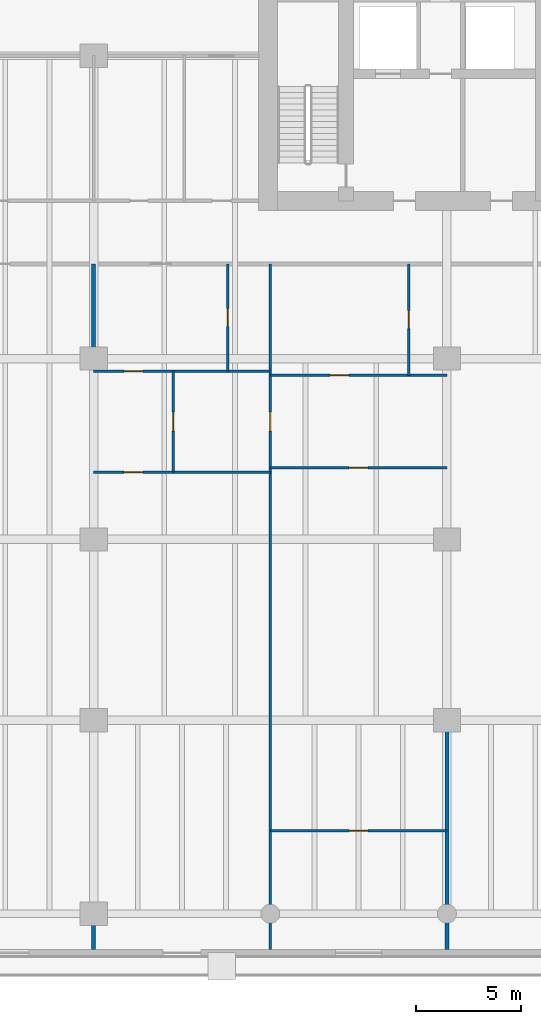
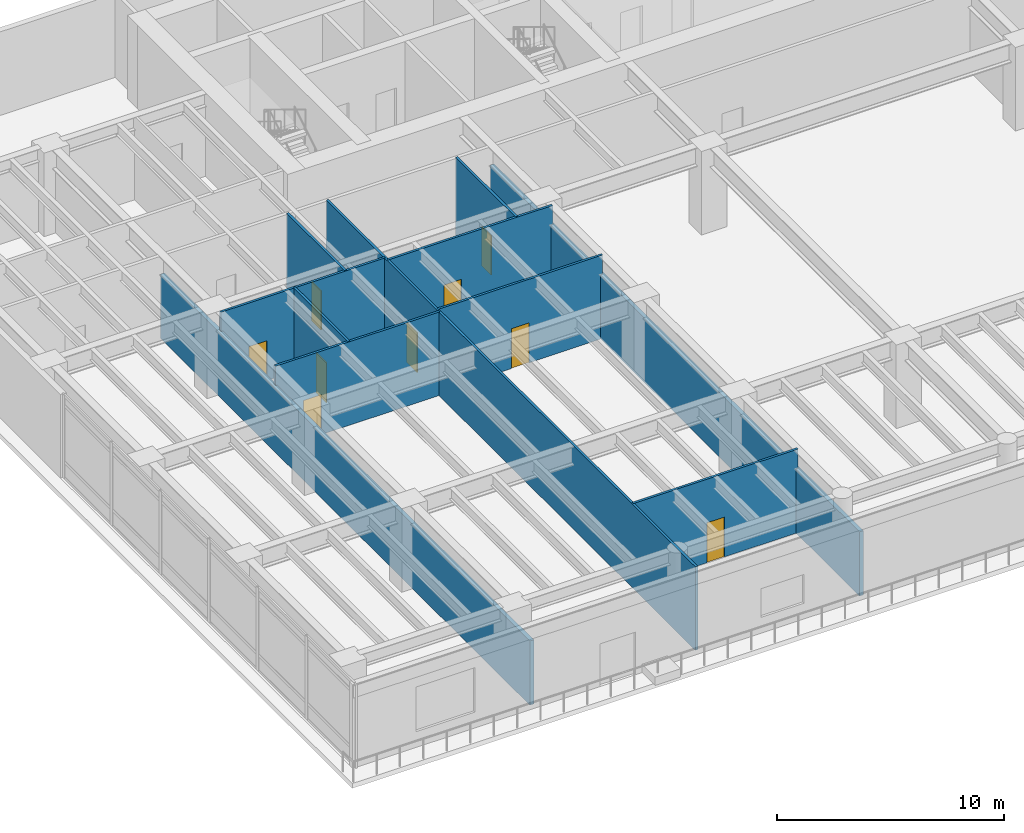
# One storey, part 6 of 17: 11 walls, 9 doors, 9 openings.
"""IFC4 building model written with IfcOpenShell, lengths in metres."""

from ifc_helpers import new_model, si_unit, direction, frame, frame_2d, origin, place, context, subcontext, project, spatial, rectangle, extrude, material, layer, layer_set, type_object, element, fill, save


model = new_model("IFC4")

# Units and contexts
model_context = context("Model", 3, precision=1e-05, world=origin(), true_north=direction((0.0, 1.0)))
body_context = subcontext(model_context, "Body", "Model", "MODEL_VIEW")
ifc_project = project(units=[si_unit("LENGTHUNIT", "METRE"), si_unit("AREAUNIT", "SQUARE_METRE"), si_unit("VOLUMEUNIT", "CUBIC_METRE"), si_unit("PLANEANGLEUNIT", "RADIAN"), si_unit("MASSUNIT", "GRAM", prefix="KILO")], contexts=[model_context])

# Site, building, storey
site_placement = place(None, origin())
site = spatial("IfcSite", under=ifc_project, at=site_placement, CompositionType="ELEMENT")
building_placement = place(site_placement, origin())
building = spatial("IfcBuilding", under=site, at=building_placement, Name="Caelmar Bay Residences", CompositionType="ELEMENT")
storey_placement = place(building_placement, frame((0.0, 0.0, 10.199951171875)))
storey = spatial("IfcBuildingStorey", under=building, at=storey_placement, Name="L02", CompositionType="ELEMENT", Elevation=10.199951171875)

# Wall, opening, door
ifc_material_1 = material(Name="Acoustic metal-stud gypsum partition 120 mm")
ifc_layer_1 = layer(ifc_material_1, 0.1201171875)
ifc_layer_set_1 = layer_set([ifc_layer_1], Name="Acoustic metal-stud gypsum partition 120 mm")
wall_type_1 = type_object("IfcWallType", Name="W-PRT-120", PredefinedType="PARTITIONING", material=ifc_layer_set_1)
wall_1_placement = place(storey_placement, frame((13.679931640625, 24.0, 0.0), z_axis=(0.0, 0.0, 1.0), x_axis=(0.0, 1.0, 0.0)))
wall_1 = element("IfcWall", 1, at=wall_1_placement, inside=storey, type_object=wall_type_1, Name="L02 Partition Wall V003", PredefinedType="PARTITIONING", context=body_context, shape_type="SweptSolid", body=[
    extrude(rectangle(XDim=4.800048828125, YDim=0.1201171875, at=frame_2d((2.39990234375, 0.0))), origin(), (0.0, 0.0, 1.0), 4.5),
])
opening_1_placement = place(wall_1_placement, frame((1.949951171875, 0.0, 0.0)))
opening_1 = element("IfcOpeningElement", 2, at=opening_1_placement, cuts=wall_1, Name="Opening D-L02-125", PredefinedType="OPENING", context=body_context, shape_type="SweptSolid", body=[
    extrude(rectangle(XDim=0.89990234375, YDim=2.14990234375, at=frame_2d((0.449951171875, 1.074951171875))), frame((0.0, 0.070068359375, 0.0), z_axis=(0.0, -1.0, 0.0), x_axis=(1.0, 0.0, 0.0)), (0.0, 0.0, 1.0), 0.14013671875),
])
ifc_material_2 = material(Name="Solid walnut timber interior door leaf and frame", Category="wood")
ifc_layer_2 = layer(ifc_material_2, 0.050048828125)
ifc_layer_set_2 = layer_set([ifc_layer_2], Name="Solid walnut timber interior door leaf and frame")
door_type_1 = type_object("IfcDoorType", Name="D-ROOM-900", OperationType="NOTDEFINED", PredefinedType="DOOR", material=ifc_layer_set_2)
door_1_placement = place(opening_1_placement, origin())
door_1 = element("IfcDoor", 3, at=door_1_placement, inside=storey, type_object=door_type_1, Name="L02 Residence 2A Kitchen Door", OperationType="SINGLE_SWING_LEFT", OverallHeight=2.14990234375, OverallWidth=0.89990234375, PredefinedType="DOOR", context=body_context, shape_type="SweptSolid", body=[
    extrude(rectangle(XDim=0.89990234375, YDim=2.14990234375, at=frame_2d((0.449951171875, 1.074951171875))), frame((0.0, 0.02490234375, 0.0), z_axis=(0.0, -1.0, 0.0), x_axis=(1.0, 0.0, 0.0)), (0.0, 0.0, 1.0), 0.050048828125),
])
fill(opening_1, door_1)

wall_2_placement = place(storey_placement, frame((16.280029296875, 28.800048828125, 0.0), z_axis=(0.0, 0.0, 1.0), x_axis=(0.0, 1.0, 0.0)))
wall_2 = element("IfcWall", 4, at=wall_2_placement, inside=storey, type_object=wall_type_1, Name="L02 Partition Wall V005", PredefinedType="PARTITIONING", context=body_context, shape_type="SweptSolid", body=[
    extrude(rectangle(XDim=5.099853515625, YDim=0.1201171875, at=frame_2d((2.5498046875, 0.0))), origin(), (0.0, 0.0, 1.0), 4.5),
])
opening_2_placement = place(wall_2_placement, frame((2.125, 0.0, 0.0)))
opening_2 = element("IfcOpeningElement", 5, at=opening_2_placement, cuts=wall_2, Name="Opening D-L02-123", PredefinedType="OPENING", context=body_context, shape_type="SweptSolid", body=[
    extrude(rectangle(XDim=0.85009765625, YDim=2.10009765625, at=frame_2d((0.425048828125, 1.050048828125))), frame((0.0, 0.070068359375, 0.0), z_axis=(0.0, -1.0, 0.0), x_axis=(1.0, 0.0, 0.0)), (0.0, 0.0, 1.0), 0.14013671875),
])
ifc_layer_3 = layer(ifc_material_2, 0.050048828125)
ifc_layer_set_3 = layer_set([ifc_layer_3], Name="Solid walnut timber interior door leaf and frame")
door_type_2 = type_object("IfcDoorType", Name="D-BATH-850", OperationType="NOTDEFINED", PredefinedType="DOOR", material=ifc_layer_set_3)
door_2_placement = place(opening_2_placement, origin())
door_2 = element("IfcDoor", 6, at=door_2_placement, inside=storey, type_object=door_type_2, Name="L02 Residence 2A Guest Bathroom Door", OperationType="SINGLE_SWING_LEFT", OverallHeight=2.10009765625, OverallWidth=0.85009765625, PredefinedType="DOOR", context=body_context, shape_type="SweptSolid", body=[
    extrude(rectangle(XDim=0.85009765625, YDim=2.10009765625, at=frame_2d((0.425048828125, 1.050048828125))), frame((0.0, 0.02490234375, 0.0), z_axis=(0.0, -1.0, 0.0), x_axis=(1.0, 0.0, 0.0)), (0.0, 0.0, 1.0), 0.050048828125),
])
fill(opening_2, door_2)

wall_3_placement = place(storey_placement, frame((18.300048828125, 1.294921875, 0.0), z_axis=(0.0, 0.0, 1.0), x_axis=(0.0, 1.0, 0.0)))
wall_3 = element("IfcWall", 7, at=wall_3_placement, inside=storey, type_object=wall_type_1, Name="L02 Partition Wall V007", PredefinedType="PARTITIONING", context=body_context, shape_type="SweptSolid", body=[
    extrude(rectangle(XDim=32.60498046875, YDim=0.1201171875, at=frame_2d((16.302490234375, 0.0))), origin(), (0.0, 0.0, 1.0), 4.5),
])
opening_3_placement = place(wall_3_placement, frame((24.655029296875, 0.0, 0.0)))
opening_3 = element("IfcOpeningElement", 8, at=opening_3_placement, cuts=wall_3, Name="Opening D-L02-127", PredefinedType="OPENING", context=body_context, shape_type="SweptSolid", body=[
    extrude(rectangle(XDim=0.89990234375, YDim=2.14990234375, at=frame_2d((0.449951171875, 1.074951171875))), frame((0.0, 0.070068359375, 0.0), z_axis=(0.0, -1.0, 0.0), x_axis=(1.0, 0.0, 0.0)), (0.0, 0.0, 1.0), 0.14013671875),
])
door_3_placement = place(opening_3_placement, origin())
door_3 = element("IfcDoor", 9, at=door_3_placement, inside=storey, type_object=door_type_1, Name="L02 Residence 2A Formal Dining Room 1 Door", OperationType="SINGLE_SWING_LEFT", OverallHeight=2.14990234375, OverallWidth=0.89990234375, PredefinedType="DOOR", context=body_context, shape_type="SweptSolid", body=[
    extrude(rectangle(XDim=0.89990234375, YDim=2.14990234375, at=frame_2d((0.449951171875, 1.074951171875))), frame((0.0, 0.02490234375, 0.0), z_axis=(0.0, -1.0, 0.0), x_axis=(1.0, 0.0, 0.0)), (0.0, 0.0, 1.0), 0.050048828125),
])
fill(opening_3, door_3)

wall_4_placement = place(storey_placement, frame((24.888916015625, 28.60009765625, 0.0), z_axis=(0.0, 0.0, 1.0), x_axis=(0.0, 1.0, 0.0)))
wall_4 = element("IfcWall", 10, at=wall_4_placement, inside=storey, type_object=wall_type_1, Name="L02 Partition Wall V009", PredefinedType="PARTITIONING", context=body_context, shape_type="SweptSolid", body=[
    extrude(rectangle(XDim=5.2998046875, YDim=0.1201171875, at=frame_2d((2.64990234375, 0.0))), origin(), (0.0, 0.0, 1.0), 4.5),
])
opening_4_placement = place(wall_4_placement, frame((2.22509765625, 0.0, 0.0)))
opening_4 = element("IfcOpeningElement", 11, at=opening_4_placement, cuts=wall_4, Name="Opening D-L02-129", PredefinedType="OPENING", context=body_context, shape_type="SweptSolid", body=[
    extrude(rectangle(XDim=0.85009765625, YDim=2.10009765625, at=frame_2d((0.425048828125, 1.050048828125))), frame((0.0, 0.070068359375, 0.0), z_axis=(0.0, -1.0, 0.0), x_axis=(1.0, 0.0, 0.0)), (0.0, 0.0, 1.0), 0.14013671875),
])
door_4_placement = place(opening_4_placement, origin())
door_4 = element("IfcDoor", 12, at=door_4_placement, inside=storey, type_object=door_type_2, Name="L02 Residence 2A En-Suite Bathroom 1 Door", OperationType="SINGLE_SWING_LEFT", OverallHeight=2.10009765625, OverallWidth=0.85009765625, PredefinedType="DOOR", context=body_context, shape_type="SweptSolid", body=[
    extrude(rectangle(XDim=0.85009765625, YDim=2.10009765625, at=frame_2d((0.425048828125, 1.050048828125))), frame((0.0, 0.02490234375, 0.0), z_axis=(0.0, -1.0, 0.0), x_axis=(1.0, 0.0, 0.0)), (0.0, 0.0, 1.0), 0.050048828125),
])
fill(opening_4, door_4)

wall_5_placement = place(storey_placement, frame((18.300048828125, 6.949951171875, 0.0), z_axis=(0.0, 0.0, 1.0), x_axis=(1.0, 0.0, 0.0)))
wall_5 = element("IfcWall", 13, at=wall_5_placement, inside=storey, type_object=wall_type_1, Name="L02 Partition Wall H034", PredefinedType="PARTITIONING", context=body_context, shape_type="SweptSolid", body=[
    extrude(rectangle(XDim=8.39990234375, YDim=0.1201171875, at=frame_2d((4.199951171875, 0.0))), origin(), (0.0, 0.0, 1.0), 4.5),
])
opening_5_placement = place(wall_5_placement, frame((3.75, 0.0, 0.0)))
opening_5 = element("IfcOpeningElement", 14, at=opening_5_placement, cuts=wall_5, Name="Opening D-L02-131", PredefinedType="OPENING", context=body_context, shape_type="SweptSolid", body=[
    extrude(rectangle(XDim=0.89990234375, YDim=2.14990234375, at=frame_2d((0.449951171875, 1.074951171875))), frame((0.0, 0.070068359375, 0.0), z_axis=(0.0, -1.0, 0.0), x_axis=(1.0, 0.0, 0.0)), (0.0, 0.0, 1.0), 0.14013671875),
])
door_5_placement = place(opening_5_placement, origin())
door_5 = element("IfcDoor", 15, at=door_5_placement, inside=storey, type_object=door_type_1, Name="L02 Residence 2A Primary Bedroom 1 Door", OperationType="SINGLE_SWING_LEFT", OverallHeight=2.14990234375, OverallWidth=0.89990234375, PredefinedType="DOOR", context=body_context, shape_type="SweptSolid", body=[
    extrude(rectangle(XDim=0.89990234375, YDim=2.14990234375, at=frame_2d((0.449951171875, 1.074951171875))), frame((0.0, 0.02490234375, 0.0), z_axis=(0.0, -1.0, 0.0), x_axis=(1.0, 0.0, 0.0)), (0.0, 0.0, 1.0), 0.050048828125),
])
fill(opening_5, door_5)

wall_6_placement = place(storey_placement, frame((9.89990234375, 24.0, 0.0), z_axis=(0.0, 0.0, 1.0), x_axis=(1.0, 0.0, 0.0)))
wall_6 = element("IfcWall", 16, at=wall_6_placement, inside=storey, type_object=wall_type_1, Name="L02 Partition Wall H038", PredefinedType="PARTITIONING", context=body_context, shape_type="SweptSolid", body=[
    extrude(rectangle(XDim=8.400146484375, YDim=0.1201171875, at=frame_2d((4.2001953125, 0.0))), origin(), (0.0, 0.0, 1.0), 4.5),
])
opening_6_placement = place(wall_6_placement, frame((1.43994140625, 0.0, 0.0)))
opening_6 = element("IfcOpeningElement", 17, at=opening_6_placement, cuts=wall_6, Name="Opening D-L02-126", PredefinedType="OPENING", context=body_context, shape_type="SweptSolid", body=[
    extrude(rectangle(XDim=0.89990234375, YDim=2.14990234375, at=frame_2d((0.449951171875, 1.074951171875))), frame((0.0, 0.070068359375, 0.0), z_axis=(0.0, -1.0, 0.0), x_axis=(1.0, 0.0, 0.0)), (0.0, 0.0, 1.0), 0.14013671875),
])
door_6_placement = place(opening_6_placement, origin())
door_6 = element("IfcDoor", 18, at=door_6_placement, inside=storey, type_object=door_type_1, Name="L02 Residence 2A Penthouse Living Salon Door", OperationType="SINGLE_SWING_RIGHT", OverallHeight=2.14990234375, OverallWidth=0.89990234375, PredefinedType="DOOR", context=body_context, shape_type="SweptSolid", body=[
    extrude(rectangle(XDim=0.89990234375, YDim=2.14990234375, at=frame_2d((0.449951171875, 1.074951171875))), frame((0.0, 0.02490234375, 0.0), z_axis=(0.0, -1.0, 0.0), x_axis=(1.0, 0.0, 0.0)), (0.0, 0.0, 1.0), 0.050048828125),
])
fill(opening_6, door_6)

wall_7_placement = place(storey_placement, frame((18.304931640625, 24.199951171875, 0.0), z_axis=(0.0, 0.0, 1.0), x_axis=(1.0, 0.0, 0.0)))
wall_7 = element("IfcWall", 19, at=wall_7_placement, inside=storey, type_object=wall_type_1, Name="L02 Partition Wall H039", PredefinedType="PARTITIONING", context=body_context, shape_type="SweptSolid", body=[
    extrude(rectangle(XDim=8.39501953125, YDim=0.1201171875, at=frame_2d((4.197509765625, 0.0))), origin(), (0.0, 0.0, 1.0), 4.5),
])
opening_7_placement = place(wall_7_placement, frame((3.74755859375, 0.0, 0.0)))
opening_7 = element("IfcOpeningElement", 20, at=opening_7_placement, cuts=wall_7, Name="Opening D-L02-130", PredefinedType="OPENING", context=body_context, shape_type="SweptSolid", body=[
    extrude(rectangle(XDim=0.89990234375, YDim=2.14990234375, at=frame_2d((0.449951171875, 1.074951171875))), frame((0.0, 0.070068359375, 0.0), z_axis=(0.0, -1.0, 0.0), x_axis=(1.0, 0.0, 0.0)), (0.0, 0.0, 1.0), 0.14013671875),
])
door_7_placement = place(opening_7_placement, origin())
door_7 = element("IfcDoor", 21, at=door_7_placement, inside=storey, type_object=door_type_1, Name="L02 Residence 2A Penthouse Sitting Salon 1 Door", OperationType="SINGLE_SWING_RIGHT", OverallHeight=2.14990234375, OverallWidth=0.89990234375, PredefinedType="DOOR", context=body_context, shape_type="SweptSolid", body=[
    extrude(rectangle(XDim=0.89990234375, YDim=2.14990234375, at=frame_2d((0.449951171875, 1.074951171875))), frame((0.0, 0.02490234375, 0.0), z_axis=(0.0, -1.0, 0.0), x_axis=(1.0, 0.0, 0.0)), (0.0, 0.0, 1.0), 0.050048828125),
])
fill(opening_7, door_7)

wall_8_placement = place(storey_placement, frame((18.300048828125, 28.60009765625, 0.0), z_axis=(0.0, 0.0, 1.0), x_axis=(1.0, 0.0, 0.0)))
wall_8 = element("IfcWall", 22, at=wall_8_placement, inside=storey, type_object=wall_type_1, Name="L02 Partition Wall H042", PredefinedType="PARTITIONING", context=body_context, shape_type="SweptSolid", body=[
    extrude(rectangle(XDim=8.39990234375, YDim=0.1201171875, at=frame_2d((4.199951171875, 0.0))), origin(), (0.0, 0.0, 1.0), 4.5),
])
opening_8_placement = place(wall_8_placement, frame((2.844482421875, 0.0, 0.0)))
opening_8 = element("IfcOpeningElement", 23, at=opening_8_placement, cuts=wall_8, Name="Opening D-L02-128", PredefinedType="OPENING", context=body_context, shape_type="SweptSolid", body=[
    extrude(rectangle(XDim=0.89990234375, YDim=2.14990234375, at=frame_2d((0.449951171875, 1.074951171875))), frame((0.0, 0.070068359375, 0.0), z_axis=(0.0, -1.0, 0.0), x_axis=(1.0, 0.0, 0.0)), (0.0, 0.0, 1.0), 0.14013671875),
])
door_8_placement = place(opening_8_placement, origin())
door_8 = element("IfcDoor", 24, at=door_8_placement, inside=storey, type_object=door_type_1, Name="L02 Residence 2A Breakfast Dining Room 1 Door", OperationType="SINGLE_SWING_RIGHT", OverallHeight=2.14990234375, OverallWidth=0.89990234375, PredefinedType="DOOR", context=body_context, shape_type="SweptSolid", body=[
    extrude(rectangle(XDim=0.89990234375, YDim=2.14990234375, at=frame_2d((0.449951171875, 1.074951171875))), frame((0.0, 0.02490234375, 0.0), z_axis=(0.0, -1.0, 0.0), x_axis=(1.0, 0.0, 0.0)), (0.0, 0.0, 1.0), 0.050048828125),
])
fill(opening_8, door_8)

wall_9_placement = place(storey_placement, frame((9.89990234375, 28.800048828125, 0.0), z_axis=(0.0, 0.0, 1.0), x_axis=(1.0, 0.0, 0.0)))
wall_9 = element("IfcWall", 25, at=wall_9_placement, inside=storey, type_object=wall_type_1, Name="L02 Partition Wall H043", PredefinedType="PARTITIONING", context=body_context, shape_type="SweptSolid", body=[
    extrude(rectangle(XDim=8.39501953125, YDim=0.1201171875, at=frame_2d((4.197509765625, 0.0))), origin(), (0.0, 0.0, 1.0), 4.5),
])
opening_9_placement = place(wall_9_placement, frame((1.43994140625, 0.0, 0.0)))
opening_9 = element("IfcOpeningElement", 26, at=opening_9_placement, cuts=wall_9, Name="Opening D-L02-124", PredefinedType="OPENING", context=body_context, shape_type="SweptSolid", body=[
    extrude(rectangle(XDim=0.89990234375, YDim=2.14990234375, at=frame_2d((0.449951171875, 1.074951171875))), frame((0.0, 0.070068359375, 0.0), z_axis=(0.0, -1.0, 0.0), x_axis=(1.0, 0.0, 0.0)), (0.0, 0.0, 1.0), 0.14013671875),
])
door_9_placement = place(opening_9_placement, origin())
door_9 = element("IfcDoor", 27, at=door_9_placement, inside=storey, type_object=door_type_1, Name="L02 Residence 2A Dining Room Door", OperationType="SINGLE_SWING_RIGHT", OverallHeight=2.14990234375, OverallWidth=0.89990234375, PredefinedType="DOOR", context=body_context, shape_type="SweptSolid", body=[
    extrude(rectangle(XDim=0.89990234375, YDim=2.14990234375, at=frame_2d((0.449951171875, 1.074951171875))), frame((0.0, 0.02490234375, 0.0), z_axis=(0.0, -1.0, 0.0), x_axis=(1.0, 0.0, 0.0)), (0.0, 0.0, 1.0), 0.050048828125),
])
fill(opening_9, door_9)

# Walls
ifc_material_3 = material(Name="Acoustic twin-stud fire-rated inter-tenancy partition 200 mm")
ifc_layer_4 = layer(ifc_material_3, 0.199951171875)
ifc_layer_set_4 = layer_set([ifc_layer_4], Name="Acoustic twin-stud fire-rated inter-tenancy partition 200 mm")
wall_type_2 = type_object("IfcWallType", Name="W-PTY-200", PredefinedType="PARTITIONING", material=ifc_layer_set_4)
for number, where, z_axis, x_axis, name in (
    (28, (9.89990234375, 1.294921875, 0.0), (0.0, 0.0, 1.0), (0.0, 1.0, 0.0), "L02 Partition Wall V001"),
    (29, (26.699951171875, 1.294921875, 0.0), (0.0, 0.0, 1.0), (0.0, 1.0, 0.0), "L02 Partition Wall V011"),
):
    element("IfcWall", number, at=place(storey_placement, frame(where, z_axis=z_axis, x_axis=x_axis)), inside=storey, type_object=wall_type_2, Name=name, PredefinedType="PARTITIONING", context=body_context, shape_type="SweptSolid", body=[
        extrude(rectangle(XDim=32.60498046875, YDim=0.199951171875, at=frame_2d((16.302490234375, 0.0))), origin(), (0.0, 0.0, 1.0), 3.464111328125),
    ])

save(model, "model.ifc")
